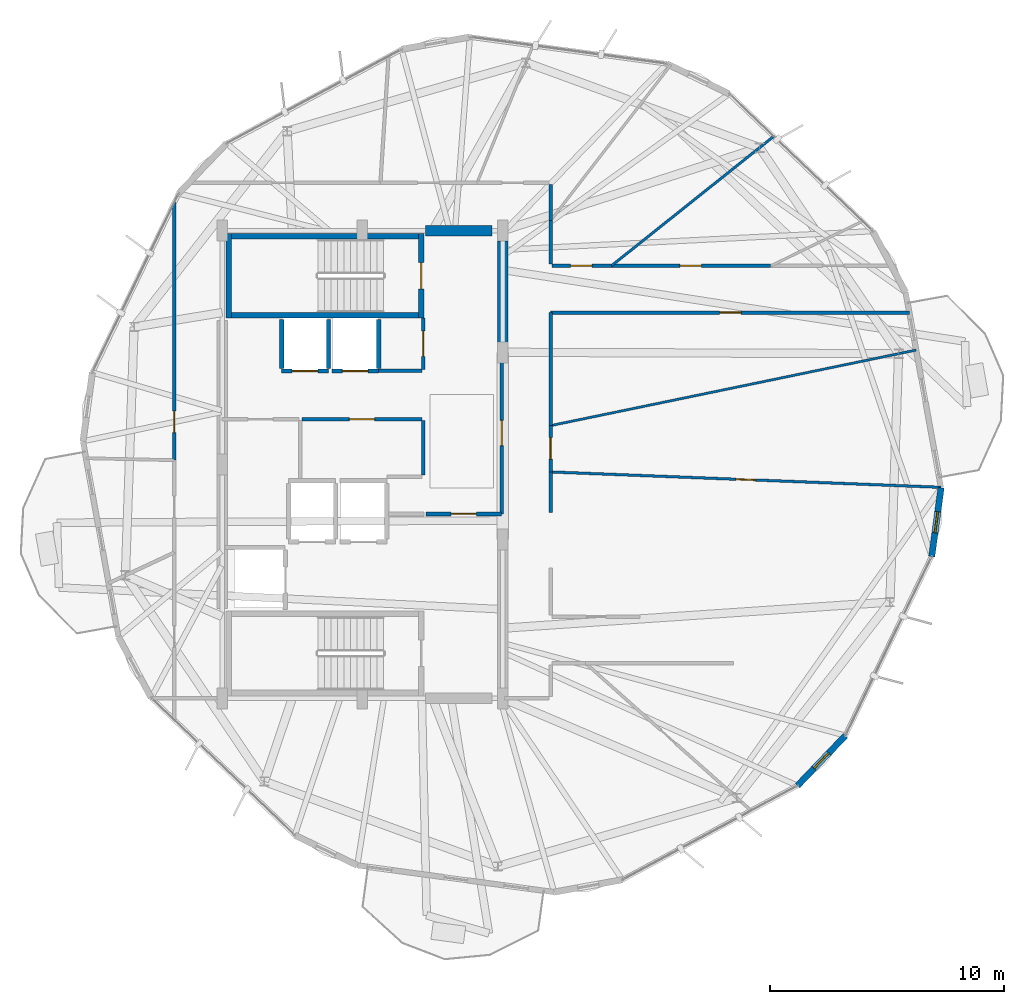
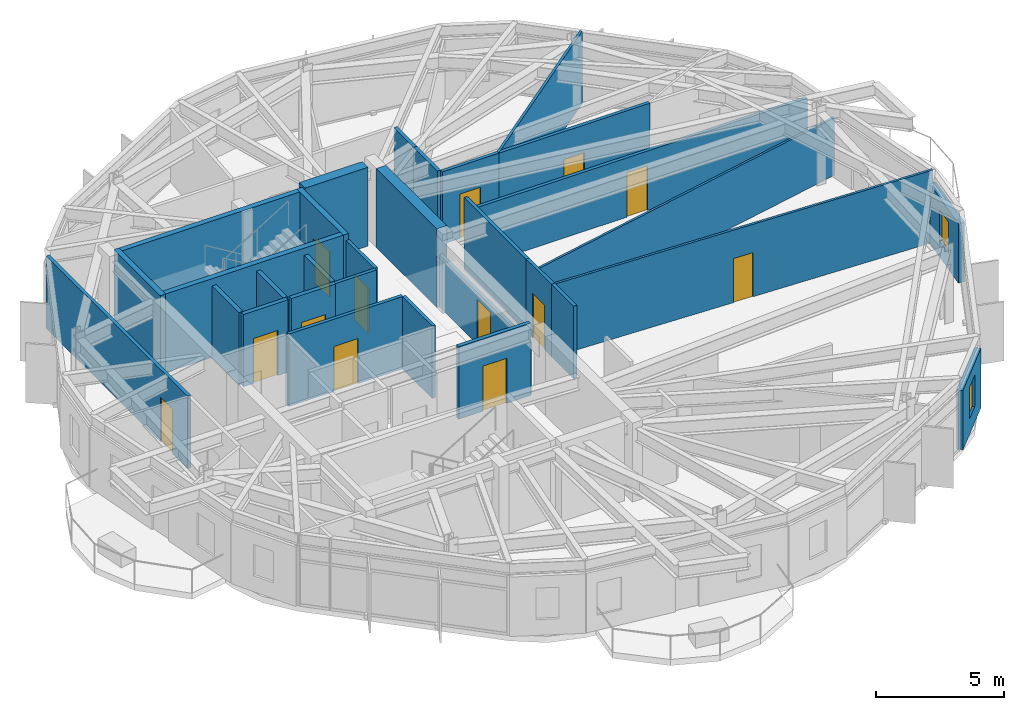
# One storey, part 22 of 26: 31 walls, 13 doors, 2 windows, 15 openings.
"""IFC4 building model written with IfcOpenShell, lengths in metres."""

from ifc_helpers import new_model, si_unit, direction, frame, frame_2d, origin, place, context, subcontext, project, spatial, rectangle, extrude, material, layer, layer_set, type_object, element, fill, save


model = new_model("IFC4")

# Units and contexts
model_context = context("Model", 3, precision=1e-05, world=origin(), true_north=direction((0.0, 1.0)))
body_context = subcontext(model_context, "Body", "Model", "MODEL_VIEW")
ifc_project = project(units=[si_unit("LENGTHUNIT", "METRE"), si_unit("AREAUNIT", "SQUARE_METRE"), si_unit("VOLUMEUNIT", "CUBIC_METRE"), si_unit("PLANEANGLEUNIT", "RADIAN"), si_unit("MASSUNIT", "GRAM", prefix="KILO")], contexts=[model_context])

# Site, building, storey
site_placement = place(None, origin())
site = spatial("IfcSite", under=ifc_project, at=site_placement, CompositionType="ELEMENT")
building_placement = place(site_placement, origin())
building = spatial("IfcBuilding", under=site, at=building_placement, Name="Soratama Intermodal Tower", CompositionType="ELEMENT")
storey_placement = place(building_placement, frame((0.0, 0.0, 268.75)))
storey = spatial("IfcBuildingStorey", under=building, at=storey_placement, Name="L68", CompositionType="ELEMENT", Elevation=268.75)

# Wall, opening, window
ifc_material_1 = material(Name="Concrete f'c 42 MPa", Category="concrete")
ifc_layer_1 = layer(ifc_material_1, 0.27001953125)
ifc_layer_set_1 = layer_set([ifc_layer_1], Name="Concrete f'c 42 MPa")
wall_type_1 = type_object("IfcWallType", Name="EW-CRN-270", PredefinedType="SOLIDWALL", material=ifc_layer_set_1)
wall_1_placement = place(storey_placement, frame((57.208984375, 11.263427734375, 0.0), z_axis=(0.0, 0.0, 1.0), x_axis=(0.691381456172, 0.722489918311, 0.0)))
wall_1 = element("IfcWall", 1, at=wall_1_placement, inside=storey, type_object=wall_type_1, Name="L68 Corner Closure Wall 07", PredefinedType="SOLIDWALL", context=body_context, shape_type="SweptSolid", body=[
    extrude(rectangle(XDim=2.966552734375, YDim=0.27001953125, at=frame_2d((1.4833984375, 0.0))), origin(), (0.0, 0.0, 1.0), 2.8291015625),
])
opening_1_placement = place(wall_1_placement, frame((1.033203125, 0.0, 0.75)))
opening_1 = element("IfcOpeningElement", 2, at=opening_1_placement, cuts=wall_1, Name="Opening WN-6", PredefinedType="OPENING", context=body_context, shape_type="SweptSolid", body=[
    extrude(rectangle(XDim=0.89990234375, YDim=1.5, at=frame_2d((0.449951171875, 0.75))), frame((0.0, 0.14501953125, 0.0), z_axis=(0.0, -1.0, 0.0), x_axis=(1.0, 0.0, 0.0)), (0.0, 0.0, 1.0), 0.2900390625),
])
ifc_material_2 = material(Name="Double-glazed aluminium window", Category="aluminium")
window_type = type_object("IfcWindowType", Name="WN-FAC-900", PartitioningType="SINGLE_PANEL", PredefinedType="WINDOW", material=ifc_material_2)
window_1_placement = place(opening_1_placement, origin())
window_1 = element("IfcWindow", 3, at=window_1_placement, inside=storey, type_object=window_type, Name="L68 Corner Window 07", OverallHeight=1.5, OverallWidth=0.89990234375, PartitioningType="SINGLE_PANEL", PredefinedType="WINDOW", context=body_context, shape_type="SweptSolid", body=[
    extrude(rectangle(XDim=0.89990234375, YDim=1.5, at=frame_2d((0.449951171875, 0.75))), frame((0.0, 0.030029296875, 0.0), z_axis=(0.0, -1.0, 0.0), x_axis=(1.0, 0.0, 0.0)), (0.0, 0.0, 1.0), 0.06005859375),
])
fill(opening_1, window_1)

wall_2_placement = place(storey_placement, frame((62.951416015625, 21.063232421875, 0.0), z_axis=(0.0, 0.0, 1.0), x_axis=(0.134643093572, 0.99089416052, 0.0)))
wall_2 = element("IfcWall", 4, at=wall_2_placement, inside=storey, type_object=wall_type_1, Name="L68 Corner Closure Wall 08", PredefinedType="SOLIDWALL", context=body_context, shape_type="SweptSolid", body=[
    extrude(rectangle(XDim=2.966552734375, YDim=0.27001953125, at=frame_2d((1.4833984375, 0.0))), origin(), (0.0, 0.0, 1.0), 2.8291015625),
])
opening_2_placement = place(wall_2_placement, frame((1.033203125, 0.0, 0.75)))
opening_2 = element("IfcOpeningElement", 5, at=opening_2_placement, cuts=wall_2, Name="Opening WN-6", PredefinedType="OPENING", context=body_context, shape_type="SweptSolid", body=[
    extrude(rectangle(XDim=0.89990234375, YDim=1.5, at=frame_2d((0.449951171875, 0.75))), frame((0.0, 0.14501953125, 0.0), z_axis=(0.0, -1.0, 0.0), x_axis=(1.0, 0.0, 0.0)), (0.0, 0.0, 1.0), 0.2900390625),
])
window_2_placement = place(opening_2_placement, origin())
window_2 = element("IfcWindow", 6, at=window_2_placement, inside=storey, type_object=window_type, Name="L68 Corner Window 08", OverallHeight=1.5, OverallWidth=0.89990234375, PartitioningType="SINGLE_PANEL", PredefinedType="WINDOW", context=body_context, shape_type="SweptSolid", body=[
    extrude(rectangle(XDim=0.89990234375, YDim=1.5, at=frame_2d((0.449951171875, 0.75))), frame((0.0, 0.030029296875, 0.0), z_axis=(0.0, -1.0, 0.0), x_axis=(1.0, 0.0, 0.0)), (0.0, 0.0, 1.0), 0.06005859375),
])
fill(opening_2, window_2)

# Wall, opening, door
ifc_material_3 = material(Name="Fire-rated gypsum stud partition", Category="concrete")
ifc_layer_2 = layer(ifc_material_3, 0.14990234375)
ifc_layer_set_2 = layer_set([ifc_layer_2], Name="Fire-rated gypsum stud partition")
wall_type_2 = type_object("IfcWallType", Name="IW-PART-R150", PredefinedType="PARTITIONING", material=ifc_layer_set_2)
wall_3_placement = place(storey_placement, frame((61.993896484375, 31.5, 0.0), z_axis=(0.0, 0.0, 1.0), x_axis=(-1.0, 0.0, 0.0)))
wall_3 = element("IfcWall", 7, at=wall_3_placement, inside=storey, type_object=wall_type_2, Name="L68 Partition W-L68-TP003", PredefinedType="PARTITIONING", context=body_context, shape_type="SweptSolid", body=[
    extrude(rectangle(XDim=15.343994140625, YDim=0.14990234375, at=frame_2d((7.671875, 0.0))), origin(), (0.0, 0.0, 1.0), 2.823974609375),
])
opening_3_placement = place(wall_3_placement, frame((7.197021484375, 0.0, 0.0)))
opening_3 = element("IfcOpeningElement", 8, at=opening_3_placement, cuts=wall_3, Name="Opening ID-6", PredefinedType="OPENING", context=body_context, shape_type="SweptSolid", body=[
    extrude(rectangle(XDim=0.919921875, YDim=2.1201171875, at=frame_2d((0.4599609375, 1.06005859375))), frame((0.0, 0.0849609375, 0.0), z_axis=(0.0, -1.0, 0.0), x_axis=(1.0, 0.0, 0.0)), (0.0, 0.0, 1.0), 0.169921875),
])
ifc_material_4 = material(Name="Solid hardwood acoustic door", Category="wood")
door_type_1 = type_object("IfcDoorType", Name="DR-ROOM-920", OperationType="NOTDEFINED", PredefinedType="DOOR", material=ifc_material_4)
door_1_placement = place(opening_3_placement, origin())
door_1 = element("IfcDoor", 9, at=door_1_placement, inside=storey, type_object=door_type_1, Name="L68 Door D-L68-TP001", OperationType="SINGLE_SWING_RIGHT", OverallHeight=2.1201171875, OverallWidth=0.919921875, PredefinedType="DOOR", context=body_context, shape_type="SweptSolid", body=[
    extrude(rectangle(XDim=0.919921875, YDim=2.1201171875, at=frame_2d((0.4599609375, 1.06005859375))), frame((0.0, 0.02490234375, 0.0), z_axis=(0.0, -1.0, 0.0), x_axis=(1.0, 0.0, 0.0)), (0.0, 0.0, 1.0), 0.050048828125),
])
fill(opening_3, door_1)

wall_4_placement = place(storey_placement, frame((30.550048828125, 25.18505859375, 0.0), z_axis=(0.0, 0.0, 1.0), x_axis=(0.0, 1.0, 0.0)))
wall_4 = element("IfcWall", 10, at=wall_4_placement, inside=storey, type_object=wall_type_2, Name="L68 Partition W-L68-TP004", PredefinedType="PARTITIONING", context=body_context, shape_type="SweptSolid", body=[
    extrude(rectangle(XDim=11.013916015625, YDim=0.14990234375, at=frame_2d((5.5068359375, 0.0))), origin(), (0.0, 0.0, 1.0), 3.449951171875),
])
opening_4_placement = place(wall_4_placement, frame((1.177001953125, 0.0, 0.0)))
opening_4 = element("IfcOpeningElement", 11, at=opening_4_placement, cuts=wall_4, Name="Opening ID-6", PredefinedType="OPENING", context=body_context, shape_type="SweptSolid", body=[
    extrude(rectangle(XDim=0.919921875, YDim=2.1201171875, at=frame_2d((0.4599609375, 1.06005859375))), frame((0.0, 0.0849609375, 0.0), z_axis=(0.0, -1.0, 0.0), x_axis=(1.0, 0.0, 0.0)), (0.0, 0.0, 1.0), 0.169921875),
])
door_2_placement = place(opening_4_placement, origin())
door_2 = element("IfcDoor", 12, at=door_2_placement, inside=storey, type_object=door_type_1, Name="L68 Door D-L68-TP002", OperationType="SINGLE_SWING_LEFT", OverallHeight=2.1201171875, OverallWidth=0.919921875, PredefinedType="DOOR", context=body_context, shape_type="SweptSolid", body=[
    extrude(rectangle(XDim=0.919921875, YDim=2.1201171875, at=frame_2d((0.4599609375, 1.06005859375))), frame((0.0, 0.02490234375, 0.0), z_axis=(0.0, -1.0, 0.0), x_axis=(1.0, 0.0, 0.0)), (0.0, 0.0, 1.0), 0.050048828125),
])
fill(opening_4, door_2)

wall_5_placement = place(storey_placement, frame((44.56005859375, 29.800048828125, 0.0), z_axis=(0.0, 0.0, 1.0), x_axis=(0.0, -1.0, 0.0)))
wall_5 = element("IfcWall", 13, at=wall_5_placement, inside=storey, type_object=wall_type_2, Name="L68 Partition W-L68-TP010", PredefinedType="PARTITIONING", context=body_context, shape_type="SweptSolid", body=[
    extrude(rectangle(XDim=6.91015625, YDim=0.14990234375, at=frame_2d((3.455078125, 0.0))), origin(), (0.0, 0.0, 1.0), 2.489990234375),
])
opening_5_placement = place(wall_5_placement, frame((2.9150390625, 0.0, 0.0)))
opening_5 = element("IfcOpeningElement", 14, at=opening_5_placement, cuts=wall_5, Name="Opening ID-1", PredefinedType="OPENING", context=body_context, shape_type="SweptSolid", body=[
    extrude(rectangle(XDim=1.080078125, YDim=2.14990234375, at=frame_2d((0.5400390625, 1.074951171875))), frame((0.0, 0.0849609375, 0.0), z_axis=(0.0, -1.0, 0.0), x_axis=(1.0, 0.0, 0.0)), (0.0, 0.0, 1.0), 0.169921875),
])
ifc_material_5 = material(Name="Solid hardwood acoustic door", Category="wood")
door_type_2 = type_object("IfcDoorType", Name="DR-LOB-FD60", OperationType="NOTDEFINED", PredefinedType="DOOR", material=ifc_material_5)
door_3_placement = place(opening_5_placement, origin())
door_3 = element("IfcDoor", 15, at=door_3_placement, inside=storey, type_object=door_type_2, Name="L68 Door D-L68-TP005", OperationType="SINGLE_SWING_RIGHT", OverallHeight=2.14990234375, OverallWidth=1.080078125, PredefinedType="DOOR", context=body_context, shape_type="SweptSolid", body=[
    extrude(rectangle(XDim=1.080078125, YDim=2.14990234375, at=frame_2d((0.5400390625, 1.074951171875))), frame((0.0, 0.02490234375, 0.0), z_axis=(0.0, -1.0, 0.0), x_axis=(1.0, 0.0, 0.0)), (0.0, 0.0, 1.0), 0.050048828125),
])
fill(opening_5, door_3)

wall_6_placement = place(storey_placement, frame((49.25390625, 33.5, 0.0), z_axis=(0.0, 0.0, 1.0), x_axis=(1.0, 0.0, 0.0)))
wall_6 = element("IfcWall", 16, at=wall_6_placement, inside=storey, type_object=wall_type_2, Name="L68 Partition W-L68-TP011", PredefinedType="PARTITIONING", context=body_context, shape_type="SweptSolid", body=[
    extrude(rectangle(XDim=6.80517578125, YDim=0.14990234375, at=frame_2d((3.402587890625, 0.0))), origin(), (0.0, 0.0, 1.0), 3.449951171875),
])
opening_6_placement = place(wall_6_placement, frame((2.927001953125, 0.0, 0.0)))
opening_6 = element("IfcOpeningElement", 17, at=opening_6_placement, cuts=wall_6, Name="Opening ID-6", PredefinedType="OPENING", context=body_context, shape_type="SweptSolid", body=[
    extrude(rectangle(XDim=0.919921875, YDim=2.1201171875, at=frame_2d((0.4599609375, 1.06005859375))), frame((0.0, 0.0849609375, 0.0), z_axis=(0.0, -1.0, 0.0), x_axis=(1.0, 0.0, 0.0)), (0.0, 0.0, 1.0), 0.169921875),
])
door_4_placement = place(opening_6_placement, origin())
door_4 = element("IfcDoor", 18, at=door_4_placement, inside=storey, type_object=door_type_1, Name="L68 Door D-L68-TP006", OperationType="SINGLE_SWING_LEFT", OverallHeight=2.1201171875, OverallWidth=0.919921875, PredefinedType="DOOR", context=body_context, shape_type="SweptSolid", body=[
    extrude(rectangle(XDim=0.919921875, YDim=2.1201171875, at=frame_2d((0.4599609375, 1.06005859375))), frame((0.0, 0.02490234375, 0.0), z_axis=(0.0, -1.0, 0.0), x_axis=(1.0, 0.0, 0.0)), (0.0, 0.0, 1.0), 0.050048828125),
])
fill(opening_6, door_4)

wall_7_placement = place(storey_placement, frame((41.159912109375, 26.93994140625, 0.0), z_axis=(0.0, 0.0, 1.0), x_axis=(-1.0, 0.0, 0.0)))
wall_7 = element("IfcWall", 19, at=wall_7_placement, inside=storey, type_object=wall_type_2, Name="L68 Partition W-L68-TP015", PredefinedType="PARTITIONING", context=body_context, shape_type="SweptSolid", body=[
    extrude(rectangle(XDim=5.14990234375, YDim=0.14990234375, at=frame_2d((2.574951171875, 0.0))), origin(), (0.0, 0.0, 1.0), 3.449951171875),
])
opening_7_placement = place(wall_7_placement, frame((2.034912109375, 0.0, 0.0)))
opening_7 = element("IfcOpeningElement", 20, at=opening_7_placement, cuts=wall_7, Name="Opening ID-1", PredefinedType="OPENING", context=body_context, shape_type="SweptSolid", body=[
    extrude(rectangle(XDim=1.080078125, YDim=2.14990234375, at=frame_2d((0.5400390625, 1.074951171875))), frame((0.0, 0.0849609375, 0.0), z_axis=(0.0, -1.0, 0.0), x_axis=(1.0, 0.0, 0.0)), (0.0, 0.0, 1.0), 0.169921875),
])
door_5_placement = place(opening_7_placement, origin())
door_5 = element("IfcDoor", 21, at=door_5_placement, inside=storey, type_object=door_type_2, Name="L68 Door D-L68-TP008", OperationType="SINGLE_SWING_LEFT", OverallHeight=2.14990234375, OverallWidth=1.080078125, PredefinedType="DOOR", context=body_context, shape_type="SweptSolid", body=[
    extrude(rectangle(XDim=1.080078125, YDim=2.14990234375, at=frame_2d((0.5400390625, 1.074951171875))), frame((0.0, 0.02490234375, 0.0), z_axis=(0.0, -1.0, 0.0), x_axis=(1.0, 0.0, 0.0)), (0.0, 0.0, 1.0), 0.050048828125),
])
fill(opening_7, door_5)

# Wall
wall_8_placement = place(storey_placement, frame((46.64990234375, 31.5, 0.0), z_axis=(0.0, 0.0, 1.0), x_axis=(0.0, -1.0, 0.0)))
element("IfcWall", 22, at=wall_8_placement, inside=storey, type_object=wall_type_2, Name="L68 Partition W-L68-TP016", PredefinedType="PARTITIONING", context=body_context, shape_type="SweptSolid", body=[
    extrude(rectangle(XDim=4.8359375, YDim=0.14990234375, at=frame_2d((2.41796875, 0.0))), origin(), (0.0, 0.0, 1.0), 3.449951171875),
])

# Wall, opening, door
wall_9_placement = place(storey_placement, frame((46.719970703125, 33.5, 0.0), z_axis=(0.0, 0.0, 1.0), x_axis=(1.0, 0.0, 0.0)))
wall_9 = element("IfcWall", 23, at=wall_9_placement, inside=storey, type_object=wall_type_2, Name="L68 Partition W-L68-TP027", PredefinedType="PARTITIONING", context=body_context, shape_type="SweptSolid", body=[
    extrude(rectangle(XDim=2.533935546875, YDim=0.14990234375, at=frame_2d((1.26708984375, 0.0))), origin(), (0.0, 0.0, 1.0), 3.449951171875),
])
opening_8_placement = place(wall_9_placement, frame((0.7919921875, 0.0, 0.0)))
opening_8 = element("IfcOpeningElement", 24, at=opening_8_placement, cuts=wall_9, Name="Opening ID-6", PredefinedType="OPENING", context=body_context, shape_type="SweptSolid", body=[
    extrude(rectangle(XDim=0.919921875, YDim=2.1201171875, at=frame_2d((0.4599609375, 1.06005859375))), frame((0.0, 0.0849609375, 0.0), z_axis=(0.0, -1.0, 0.0), x_axis=(1.0, 0.0, 0.0)), (0.0, 0.0, 1.0), 0.169921875),
])
door_6_placement = place(opening_8_placement, origin())
door_6 = element("IfcDoor", 25, at=door_6_placement, inside=storey, type_object=door_type_1, Name="L68 Door D-L68-TP014", OperationType="SINGLE_SWING_LEFT", OverallHeight=2.1201171875, OverallWidth=0.919921875, PredefinedType="DOOR", context=body_context, shape_type="SweptSolid", body=[
    extrude(rectangle(XDim=0.919921875, YDim=2.1201171875, at=frame_2d((0.4599609375, 1.06005859375))), frame((0.0, 0.02490234375, 0.0), z_axis=(0.0, -1.0, 0.0), x_axis=(1.0, 0.0, 0.0)), (0.0, 0.0, 1.0), 0.050048828125),
])
fill(opening_8, door_6)

# Wall
wall_10_placement = place(storey_placement, frame((41.199951171875, 24.550048828125, 0.0), z_axis=(0.0, 0.0, 1.0), x_axis=(0.0, 1.0, 0.0)))
element("IfcWall", 26, at=wall_10_placement, inside=storey, type_object=wall_type_2, Name="L68 Partition W-L68-TP028", PredefinedType="PARTITIONING", context=body_context, shape_type="SweptSolid", body=[
    extrude(rectangle(XDim=2.329833984375, YDim=0.14990234375, at=frame_2d((1.1650390625, 0.0))), origin(), (0.0, 0.0, 1.0), 3.449951171875),
])

# Wall, opening, door
wall_11_placement = place(storey_placement, frame((41.199951171875, 29.070068359375, 0.0), z_axis=(0.0, 0.0, 1.0), x_axis=(0.0, 1.0, 0.0)))
wall_11 = element("IfcWall", 27, at=wall_11_placement, inside=storey, type_object=wall_type_2, Name="L68 Partition W-L68-TP029", PredefinedType="PARTITIONING", context=body_context, shape_type="SweptSolid", body=[
    extrude(rectangle(XDim=2.18994140625, YDim=0.14990234375, at=frame_2d((1.094970703125, 0.0))), origin(), (0.0, 0.0, 1.0), 3.449951171875),
])
opening_9_placement = place(wall_11_placement, frame((0.554931640625, 0.0, 0.0)))
opening_9 = element("IfcOpeningElement", 28, at=opening_9_placement, cuts=wall_11, Name="Opening ID-1", PredefinedType="OPENING", context=body_context, shape_type="SweptSolid", body=[
    extrude(rectangle(XDim=1.080078125, YDim=2.14990234375, at=frame_2d((0.5400390625, 1.074951171875))), frame((0.0, 0.0849609375, 0.0), z_axis=(0.0, -1.0, 0.0), x_axis=(1.0, 0.0, 0.0)), (0.0, 0.0, 1.0), 0.169921875),
])
door_7_placement = place(opening_9_placement, origin())
door_7 = element("IfcDoor", 29, at=door_7_placement, inside=storey, type_object=door_type_2, Name="L68 Door D-L68-TP015", OperationType="SINGLE_SWING_RIGHT", OverallHeight=2.14990234375, OverallWidth=1.080078125, PredefinedType="DOOR", context=body_context, shape_type="SweptSolid", body=[
    extrude(rectangle(XDim=1.080078125, YDim=2.14990234375, at=frame_2d((0.5400390625, 1.074951171875))), frame((0.0, 0.02490234375, 0.0), z_axis=(0.0, -1.0, 0.0), x_axis=(1.0, 0.0, 0.0)), (0.0, 0.0, 1.0), 0.050048828125),
])
fill(opening_9, door_7)

wall_12_placement = place(storey_placement, frame((46.64990234375, 26.6640625, 0.0), z_axis=(0.0, 0.0, 1.0), x_axis=(0.0, -1.0, 0.0)))
wall_12 = element("IfcWall", 30, at=wall_12_placement, inside=storey, type_object=wall_type_2, Name="L68 Partition W-L68-TP030", PredefinedType="PARTITIONING", context=body_context, shape_type="SweptSolid", body=[
    extrude(rectangle(XDim=1.98095703125, YDim=0.14990234375, at=frame_2d((0.990478515625, 0.0))), origin(), (0.0, 0.0, 1.0), 3.449951171875),
])
opening_10_placement = place(wall_12_placement, frame((0.51611328125, 0.0, 0.0)))
opening_10 = element("IfcOpeningElement", 31, at=opening_10_placement, cuts=wall_12, Name="Opening ID-6", PredefinedType="OPENING", context=body_context, shape_type="SweptSolid", body=[
    extrude(rectangle(XDim=0.919921875, YDim=2.1201171875, at=frame_2d((0.4599609375, 1.06005859375))), frame((0.0, 0.0849609375, 0.0), z_axis=(0.0, -1.0, 0.0), x_axis=(1.0, 0.0, 0.0)), (0.0, 0.0, 1.0), 0.169921875),
])
door_8_placement = place(opening_10_placement, origin())
door_8 = element("IfcDoor", 32, at=door_8_placement, inside=storey, type_object=door_type_1, Name="L68 Door D-L68-TP016", OperationType="SINGLE_SWING_LEFT", OverallHeight=2.1201171875, OverallWidth=0.919921875, PredefinedType="DOOR", context=body_context, shape_type="SweptSolid", body=[
    extrude(rectangle(XDim=0.919921875, YDim=2.1201171875, at=frame_2d((0.4599609375, 1.06005859375))), frame((0.0, 0.02490234375, 0.0), z_axis=(0.0, -1.0, 0.0), x_axis=(1.0, 0.0, 0.0)), (0.0, 0.0, 1.0), 0.050048828125),
])
fill(opening_10, door_8)

# Walls
wall_13_placement = place(storey_placement, frame((39.300048828125, 29.010009765625, 0.0), z_axis=(0.0, 0.0, 1.0), x_axis=(1.0, 0.0, 0.0)))
element("IfcWall", 33, at=wall_13_placement, inside=storey, type_object=wall_type_2, Name="L68 Partition W-L68-TP032", PredefinedType="PARTITIONING", context=body_context, shape_type="SweptSolid", body=[
    extrude(rectangle(XDim=1.85986328125, YDim=0.14990234375, at=frame_2d((0.929931640625, 0.0))), origin(), (0.0, 0.0, 1.0), 3.449951171875),
])
wall_14_placement = place(storey_placement, frame((46.64990234375, 35.428955078125, 0.0), z_axis=(0.0, 0.0, 1.0), x_axis=(0.0, -1.0, 0.0)))
element("IfcWall", 34, at=wall_14_placement, inside=storey, type_object=wall_type_2, Name="L68 Partition W-L68-TP033", PredefinedType="PARTITIONING", context=body_context, shape_type="SweptSolid", body=[
    extrude(rectangle(XDim=1.85888671875, YDim=0.14990234375, at=frame_2d((0.929443359375, 0.0))), origin(), (0.0, 0.0, 1.0), 3.449951171875),
])
wall_15_placement = place(storey_placement, frame((46.64990234375, 36.97998046875, 0.0), z_axis=(0.0, 0.0, 1.0), x_axis=(0.0, -1.0, 0.0)))
element("IfcWall", 35, at=wall_15_placement, inside=storey, type_object=wall_type_2, Name="L68 Partition W-L68-TP034", PredefinedType="PARTITIONING", context=body_context, shape_type="SweptSolid", body=[
    extrude(rectangle(XDim=1.551025390625, YDim=0.14990234375, at=frame_2d((0.775390625, 0.0))), origin(), (0.0, 0.0, 1.0), 3.449951171875),
])
wall_16_placement = place(storey_placement, frame((46.64990234375, 24.68310546875, 0.0), z_axis=(0.0, 0.0, 1.0), x_axis=(0.0, -1.0, 0.0)))
element("IfcWall", 36, at=wall_16_placement, inside=storey, type_object=wall_type_2, Name="L68 Partition W-L68-TP042", PredefinedType="PARTITIONING", context=body_context, shape_type="SweptSolid", body=[
    extrude(rectangle(XDim=1.72802734375, YDim=0.14990234375, at=frame_2d((0.864013671875, 0.0))), origin(), (0.0, 0.0, 1.0), 3.449951171875),
])

# Wall, opening, door
ifc_material_6 = material(Name="Fire-rated gypsum stud partition", Category="concrete")
ifc_layer_3 = layer(ifc_material_6, 0.169921875)
ifc_layer_set_3 = layer_set([ifc_layer_3], Name="Fire-rated gypsum stud partition")
wall_type_3 = type_object("IfcWallType", Name="IW-PART-R170", PredefinedType="PARTITIONING", material=ifc_layer_set_3)
wall_17_placement = place(storey_placement, frame((41.320068359375, 22.889892578125, 0.0), z_axis=(0.0, 0.0, 1.0), x_axis=(1.0, 0.0, 0.0)))
wall_17 = element("IfcWall", 37, at=wall_17_placement, inside=storey, type_object=wall_type_3, Name="L68 Partition W-L68-TP022", PredefinedType="PARTITIONING", context=body_context, shape_type="SweptSolid", body=[
    extrude(rectangle(XDim=3.239990234375, YDim=0.169921875, at=frame_2d((1.6201171875, 0.0))), origin(), (0.0, 0.0, 1.0), 3.449951171875),
])
opening_11_placement = place(wall_17_placement, frame((1.080078125, 0.0, 0.0)))
opening_11 = element("IfcOpeningElement", 38, at=opening_11_placement, cuts=wall_17, Name="Opening ID-0", PredefinedType="OPENING", context=body_context, shape_type="SweptSolid", body=[
    extrude(rectangle(XDim=1.080078125, YDim=2.14990234375, at=frame_2d((0.5400390625, 1.074951171875))), frame((0.0, 0.094970703125, 0.0), z_axis=(0.0, -1.0, 0.0), x_axis=(1.0, 0.0, 0.0)), (0.0, 0.0, 1.0), 0.18994140625),
])
ifc_material_7 = material(Name="Solid hardwood acoustic door", Category="wood")
door_type_3 = type_object("IfcDoorType", Name="DR-LOB-FD90", OperationType="NOTDEFINED", PredefinedType="DOOR", material=ifc_material_7)
door_9_placement = place(opening_11_placement, origin())
door_9 = element("IfcDoor", 39, at=door_9_placement, inside=storey, type_object=door_type_3, Name="L68 Door D-L68-TP012", OperationType="SINGLE_SWING_LEFT", OverallHeight=2.14990234375, OverallWidth=1.080078125, PredefinedType="DOOR", context=body_context, shape_type="SweptSolid", body=[
    extrude(rectangle(XDim=1.080078125, YDim=2.14990234375, at=frame_2d((0.5400390625, 1.074951171875))), frame((0.0, 0.02490234375, 0.0), z_axis=(0.0, -1.0, 0.0), x_axis=(1.0, 0.0, 0.0)), (0.0, 0.0, 1.0), 0.050048828125),
])
fill(opening_11, door_9)

# Wall
ifc_material_8 = material(Name="Fire-rated gypsum stud partition", Category="concrete")
ifc_layer_4 = layer(ifc_material_8, 0.10009765625)
ifc_layer_set_4 = layer_set([ifc_layer_4], Name="Fire-rated gypsum stud partition")
wall_type_4 = type_object("IfcWallType", Name="IW-PART-S100", PredefinedType="PARTITIONING", material=ifc_layer_set_4)
wall_18_placement = place(storey_placement, frame((46.64990234375, 26.6640625, 0.0), z_axis=(0.0, 0.0, 1.0), x_axis=(0.979293886002, 0.202443781921, 0.0)))
element("IfcWall", 40, at=wall_18_placement, inside=storey, type_object=wall_type_4, Name="L68 Partition W-L68-TP002", PredefinedType="PARTITIONING", context=body_context, shape_type="SweptSolid", body=[
    extrude(rectangle(XDim=15.964599609375, YDim=0.10009765625, at=frame_2d((7.982421875, 0.0))), origin(), (0.0, 0.0, 1.0), 2.7451171875),
])

# Wall, opening, door
ifc_material_9 = material(Name="Fire-rated gypsum stud partition", Category="concrete")
ifc_layer_5 = layer(ifc_material_9, 0.110107421875)
ifc_layer_set_5 = layer_set([ifc_layer_5], Name="Fire-rated gypsum stud partition")
wall_type_5 = type_object("IfcWallType", Name="IW-PART-S110", PredefinedType="PARTITIONING", material=ifc_layer_set_5)
wall_19_placement = place(storey_placement, frame((63.346923828125, 24.02587890625, 0.0), z_axis=(0.0, 0.0, 1.0), x_axis=(-0.999226219276, 0.039331446861, 0.0)))
wall_19 = element("IfcWall", 41, at=wall_19_placement, inside=storey, type_object=wall_type_5, Name="L68 Partition W-L68-TP001", PredefinedType="PARTITIONING", context=body_context, shape_type="SweptSolid", body=[
    extrude(rectangle(XDim=16.7099609375, YDim=0.110107421875, at=frame_2d((8.35498046875, 0.0))), origin(), (0.0, 0.0, 1.0), 3.449951171875),
])
opening_12_placement = place(wall_19_placement, frame((7.929931640625, 0.0, 0.0)))
opening_12 = element("IfcOpeningElement", 42, at=opening_12_placement, cuts=wall_19, Name="Opening ID-4", PredefinedType="OPENING", context=body_context, shape_type="SweptSolid", body=[
    extrude(rectangle(XDim=0.85009765625, YDim=2.10009765625, at=frame_2d((0.425048828125, 1.050048828125))), frame((0.0, 0.06494140625, 0.0), z_axis=(0.0, -1.0, 0.0), x_axis=(1.0, 0.0, 0.0)), (0.0, 0.0, 1.0), 0.130126953125),
])
ifc_material_10 = material(Name="Solid hardwood acoustic door", Category="wood")
door_type_4 = type_object("IfcDoorType", Name="DR-BATH-850", OperationType="NOTDEFINED", PredefinedType="DOOR", material=ifc_material_10)
door_10_placement = place(opening_12_placement, origin())
door_10 = element("IfcDoor", 43, at=door_10_placement, inside=storey, type_object=door_type_4, Name="L68 Door D-L68-TP019", OperationType="SINGLE_SWING_LEFT", OverallHeight=2.10009765625, OverallWidth=0.85009765625, PredefinedType="DOOR", context=body_context, shape_type="SweptSolid", body=[
    extrude(rectangle(XDim=0.85009765625, YDim=2.10009765625, at=frame_2d((0.425048828125, 1.050048828125))), frame((0.0, 0.02490234375, 0.0), z_axis=(0.0, -1.0, 0.0), x_axis=(1.0, 0.0, 0.0)), (0.0, 0.0, 1.0), 0.050048828125),
])
fill(opening_12, door_10)

# Wall
wall_20_placement = place(storey_placement, frame((49.25390625, 33.5, 0.0), z_axis=(0.0, 0.0, 1.0), x_axis=(0.781761447112, 0.6235776133, 0.0)))
element("IfcWall", 44, at=wall_20_placement, inside=storey, type_object=wall_type_5, Name="L68 Partition W-L68-TP006", PredefinedType="PARTITIONING", context=body_context, shape_type="SweptSolid", body=[
    extrude(rectangle(XDim=8.877685546875, YDim=0.110107421875, at=frame_2d((4.43896484375, 0.0))), origin(), (0.0, 0.0, 1.0), 3.449951171875),
])

# Wall, opening, door
ifc_material_11 = material(Name="Concrete f'c 42 MPa", Category="concrete")
ifc_layer_6 = layer(ifc_material_11, 0.18505859375)
ifc_layer_set_6 = layer_set([ifc_layer_6], Name="Concrete f'c 42 MPa")
wall_type_6 = type_object("IfcWallType", Name="IW-SHAFT-185", PredefinedType="SOLIDWALL", material=ifc_layer_set_6)
wall_21_placement = place(storey_placement, frame((35.14990234375, 29.0, 0.0), z_axis=(0.0, 0.0, 1.0), x_axis=(1.0, 0.0, 0.0)))
wall_21 = element("IfcWall", 45, at=wall_21_placement, inside=storey, type_object=wall_type_6, Name="L68 PL-H1 Hoistway Wall S", PredefinedType="SOLIDWALL", context=body_context, shape_type="SweptSolid", body=[
    extrude(rectangle(XDim=2.0, YDim=0.18505859375, at=frame_2d((1.0, 0.0))), origin(), (0.0, 0.0, 1.0), 3.449951171875),
])
opening_13_placement = place(wall_21_placement, frame((0.449951171875, 0.0, 0.0)))
opening_13 = element("IfcOpeningElement", 46, at=opening_13_placement, cuts=wall_21, Name="Opening LD-1", PredefinedType="OPENING", context=body_context, shape_type="SweptSolid", body=[
    extrude(rectangle(XDim=1.10009765625, YDim=2.14990234375, at=frame_2d((0.550048828125, 1.074951171875))), frame((0.0, 0.1025390625, 0.0), z_axis=(0.0, -1.0, 0.0), x_axis=(1.0, 0.0, 0.0)), (0.0, 0.0, 1.0), 0.205078125),
])
ifc_material_12 = material(Name="Steel fire door", Category="steel")
door_type_5 = type_object("IfcDoorType", Name="DR-LIFT-SLIDE", OperationType="NOTDEFINED", PredefinedType="DOOR", material=ifc_material_12)
door_11_placement = place(opening_13_placement, origin())
door_11 = element("IfcDoor", 47, at=door_11_placement, inside=storey, type_object=door_type_5, Name="L68 PL-H1 Sliding Landing Door", OperationType="SLIDING_TO_LEFT", OverallHeight=2.14990234375, OverallWidth=1.10009765625, PredefinedType="DOOR", context=body_context, shape_type="SweptSolid", body=[
    extrude(rectangle(XDim=1.10009765625, YDim=2.14990234375, at=frame_2d((0.550048828125, 1.074951171875))), frame((0.0, 0.02490234375, 0.0), z_axis=(0.0, -1.0, 0.0), x_axis=(1.0, 0.0, 0.0)), (0.0, 0.0, 1.0), 0.050048828125),
])
fill(opening_13, door_11)

# Walls
for number, where, z_axis, x_axis, name in (
    (48, (35.14990234375, 29.110107421875, 0.0), (0.0, 0.0, 1.0), (0.0, 1.0, 0.0), "L68 PL-H1 Hoistway Wall W"),
    (49, (37.14990234375, 29.110107421875, 0.0), (0.0, 0.0, 1.0), (0.0, 1.0, 0.0), "L68 PL-H1 Hoistway Wall E"),
):
    element("IfcWall", number, at=place(storey_placement, frame(where, z_axis=z_axis, x_axis=x_axis)), inside=storey, type_object=wall_type_6, Name=name, PredefinedType="SOLIDWALL", context=body_context, shape_type="SweptSolid", body=[
        extrude(rectangle(XDim=2.099853515625, YDim=0.18505859375, at=frame_2d((1.0498046875, 0.0))), origin(), (0.0, 0.0, 1.0), 3.449951171875),
    ])

# Wall, opening, door
wall_22_placement = place(storey_placement, frame((37.300048828125, 29.0, 0.0), z_axis=(0.0, 0.0, 1.0), x_axis=(1.0, 0.0, 0.0)))
wall_22 = element("IfcWall", 50, at=wall_22_placement, inside=storey, type_object=wall_type_6, Name="L68 PL-H2 Hoistway Wall S", PredefinedType="SOLIDWALL", context=body_context, shape_type="SweptSolid", body=[
    extrude(rectangle(XDim=2.0, YDim=0.18505859375, at=frame_2d((1.0, 0.0))), origin(), (0.0, 0.0, 1.0), 3.449951171875),
])
opening_14_placement = place(wall_22_placement, frame((0.449951171875, 0.0, 0.0)))
opening_14 = element("IfcOpeningElement", 51, at=opening_14_placement, cuts=wall_22, Name="Opening LD-1", PredefinedType="OPENING", context=body_context, shape_type="SweptSolid", body=[
    extrude(rectangle(XDim=1.10009765625, YDim=2.14990234375, at=frame_2d((0.550048828125, 1.074951171875))), frame((0.0, 0.1025390625, 0.0), z_axis=(0.0, -1.0, 0.0), x_axis=(1.0, 0.0, 0.0)), (0.0, 0.0, 1.0), 0.205078125),
])
door_12_placement = place(opening_14_placement, origin())
door_12 = element("IfcDoor", 52, at=door_12_placement, inside=storey, type_object=door_type_5, Name="L68 PL-H2 Sliding Landing Door", OperationType="SLIDING_TO_LEFT", OverallHeight=2.14990234375, OverallWidth=1.10009765625, PredefinedType="DOOR", context=body_context, shape_type="SweptSolid", body=[
    extrude(rectangle(XDim=1.10009765625, YDim=2.14990234375, at=frame_2d((0.550048828125, 1.074951171875))), frame((0.0, 0.02490234375, 0.0), z_axis=(0.0, -1.0, 0.0), x_axis=(1.0, 0.0, 0.0)), (0.0, 0.0, 1.0), 0.050048828125),
])
fill(opening_14, door_12)

# Walls
wall_23_placement = place(storey_placement, frame((39.300048828125, 29.110107421875, 0.0), z_axis=(0.0, 0.0, 1.0), x_axis=(0.0, 1.0, 0.0)))
element("IfcWall", 53, at=wall_23_placement, inside=storey, type_object=wall_type_6, Name="L68 PL-H2 Hoistway Wall E", PredefinedType="SOLIDWALL", context=body_context, shape_type="SweptSolid", body=[
    extrude(rectangle(XDim=2.099853515625, YDim=0.18505859375, at=frame_2d((1.0498046875, 0.0))), origin(), (0.0, 0.0, 1.0), 3.449951171875),
])
ifc_material_13 = material(Name="Concrete f'c 56 MPa", Category="concrete")
ifc_layer_7 = layer(ifc_material_13, 0.449951171875)
ifc_layer_set_7 = layer_set([ifc_layer_7], Name="Concrete f'c 56 MPa")
wall_type_7 = type_object("IfcWallType", Name="SW-CORE-450", PredefinedType="SHEAR", material=ifc_layer_set_7)
wall_24_placement = place(storey_placement, frame((41.300048828125, 35.0, 0.0), z_axis=(0.0, 0.0, 1.0), x_axis=(1.0, 0.0, 0.0)))
element("IfcWall", 54, at=wall_24_placement, inside=storey, type_object=wall_type_7, Name="L68 Core Shear Wall CW-NE", PredefinedType="SHEAR", context=body_context, shape_type="SweptSolid", body=[
    extrude(rectangle(XDim=2.849853515625, YDim=0.449951171875, at=frame_2d((1.4248046875, 0.0))), origin(), (0.0, 0.0, 1.0), 3.75),
])
wall_25_placement = place(storey_placement, frame((44.60009765625, 29.800048828125, 0.0), z_axis=(0.0, 0.0, 1.0), x_axis=(0.0, 1.0, 0.0)))
element("IfcWall", 55, at=wall_25_placement, inside=storey, type_object=wall_type_7, Name="L68 Core Shear Wall CW-EN", PredefinedType="SHEAR", context=body_context, shape_type="SweptSolid", body=[
    extrude(rectangle(XDim=4.75, YDim=0.449951171875, at=frame_2d((2.375, 0.0))), origin(), (0.0, 0.0, 1.0), 3.75),
])
ifc_material_14 = material(Name="Concrete f'c 56 MPa", Category="concrete")
ifc_layer_8 = layer(ifc_material_14, 0.239990234375)
ifc_layer_set_8 = layer_set([ifc_layer_8], Name="Concrete f'c 56 MPa")
wall_type_8 = type_object("IfcWallType", Name="SW-STAIR-240", PredefinedType="SHEAR", material=ifc_layer_set_8)
wall_26_placement = place(storey_placement, frame((32.8798828125, 31.260009765625, 0.0), z_axis=(0.0, 0.0, 1.0), x_axis=(0.0, 1.0, 0.0)))
element("IfcWall", 56, at=wall_26_placement, inside=storey, type_object=wall_type_8, Name="L68 ST-2 Shaft Shear Wall W", PredefinedType="SHEAR", context=body_context, shape_type="SweptSolid", body=[
    extrude(rectangle(XDim=3.6298828125, YDim=0.239990234375, at=frame_2d((1.81494140625, 0.0))), origin(), (0.0, 0.0, 1.0), 3.75),
])

# Wall, opening, door
wall_27_placement = place(storey_placement, frame((41.1201171875, 31.260009765625, 0.0), z_axis=(0.0, 0.0, 1.0), x_axis=(0.0, 1.0, 0.0)))
wall_27 = element("IfcWall", 57, at=wall_27_placement, inside=storey, type_object=wall_type_8, Name="L68 ST-2 Shaft Shear Wall E", PredefinedType="SHEAR", context=body_context, shape_type="SweptSolid", body=[
    extrude(rectangle(XDim=3.6298828125, YDim=0.239990234375, at=frame_2d((1.81494140625, 0.0))), origin(), (0.0, 0.0, 1.0), 3.75),
])
opening_15_placement = place(wall_27_placement, frame((1.2548828125, 0.0, 0.0)))
opening_15 = element("IfcOpeningElement", 58, at=opening_15_placement, cuts=wall_27, Name="Opening SD-1", PredefinedType="OPENING", context=body_context, shape_type="SweptSolid", body=[
    extrude(rectangle(XDim=1.1201171875, YDim=2.14990234375, at=frame_2d((0.56005859375, 1.074951171875))), frame((0.0, 0.1298828125, 0.0), z_axis=(0.0, -1.0, 0.0), x_axis=(1.0, 0.0, 0.0)), (0.0, 0.0, 1.0), 0.260009765625),
])
ifc_material_15 = material(Name="Steel fire door", Category="steel")
door_type_6 = type_object("IfcDoorType", Name="DR-STAIR-FD90", OperationType="NOTDEFINED", PredefinedType="DOOR", material=ifc_material_15)
door_13_placement = place(opening_15_placement, origin())
door_13 = element("IfcDoor", 59, at=door_13_placement, inside=storey, type_object=door_type_6, Name="L68 ST-2 Exit Stair Door", OperationType="SINGLE_SWING_RIGHT", OverallHeight=2.14990234375, OverallWidth=1.1201171875, PredefinedType="DOOR", context=body_context, shape_type="SweptSolid", body=[
    extrude(rectangle(XDim=1.1201171875, YDim=2.14990234375, at=frame_2d((0.56005859375, 1.074951171875))), frame((0.0, 0.02490234375, 0.0), z_axis=(0.0, -1.0, 0.0), x_axis=(1.0, 0.0, 0.0)), (0.0, 0.0, 1.0), 0.050048828125),
])
fill(opening_15, door_13)

# Walls
for number, where, z_axis, x_axis, name in (
    (60, (33.0, 31.3798828125, 0.0), (0.0, 0.0, 1.0), (1.0, 0.0, 0.0), "L68 ST-2 Shaft Shear Wall S"),
    (61, (33.0, 34.77001953125, 0.0), (0.0, 0.0, 1.0), (1.0, 0.0, 0.0), "L68 ST-2 Shaft Shear Wall N"),
):
    element("IfcWall", number, at=place(storey_placement, frame(where, z_axis=z_axis, x_axis=x_axis)), inside=storey, type_object=wall_type_8, Name=name, PredefinedType="SHEAR", context=body_context, shape_type="SweptSolid", body=[
        extrude(rectangle(XDim=8.0, YDim=0.239990234375, at=frame_2d((4.0, 0.0))), origin(), (0.0, 0.0, 1.0), 3.75),
    ])

save(model, "model.ifc")
